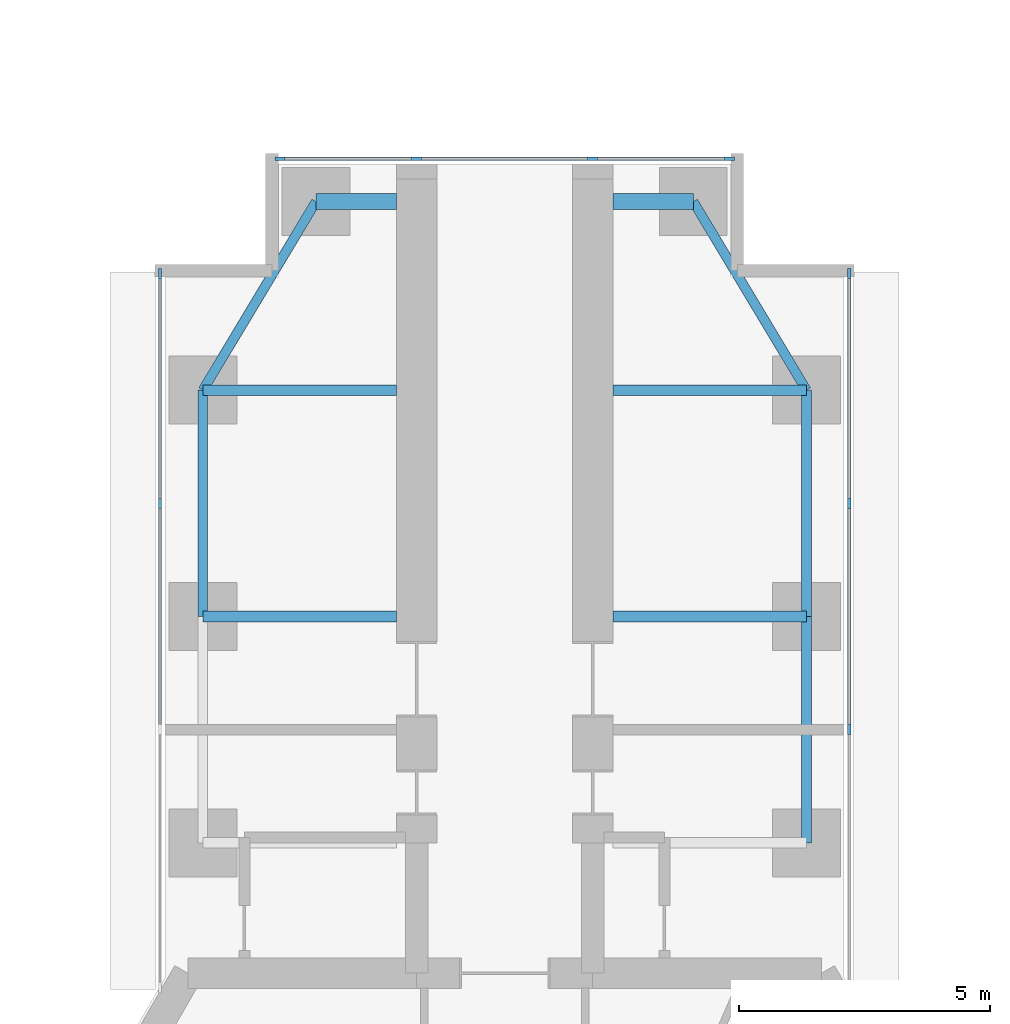
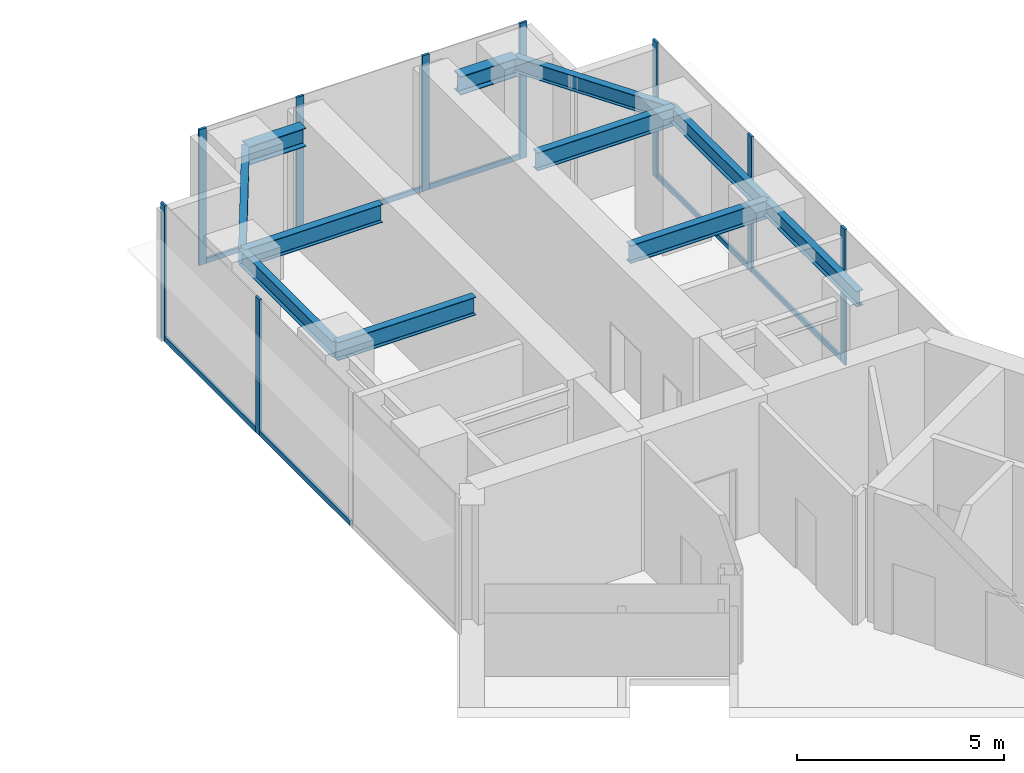
# One storey, part 12 of 21: 16 members, 11 beams, 3 elements without a shape of their own.
"""IFC4 building model written with IfcOpenShell, lengths in metres."""

import ifcopenshell
import ifcopenshell.guid

model = None  # the IFC model being written
_history = None  # IfcOwnerHistory: only IFC2X3 demands one
_inside = {}  # id of a spatial element -> (the spatial element, [elements in it])
_under = {}  # id of a project, library or spatial element -> (it, [spatial elements below it])
_declared = {}  # id of a project -> (the project, [libraries it declares])
_typed = {}  # id of a type object -> (the type object, [elements of that type])
_made_of = {}  # id of a material, layer set ... -> (it, [elements and type objects made of it])


def new_model(schema):
    """Start an empty IFC model of exactly this schema.

    Asked for "IFC4X3", IfcOpenShell would pick the latest addendum, in which some entities
    have other attributes; the version numbers below select the first issue.
    IFC2X3 requires an IfcOwnerHistory on every rooted entity: one is made here for all.
    """
    global model, _history
    if schema == "IFC4X3":
        model = ifcopenshell.file(schema_version=(4, 3, 0, 0))
    else:
        model = ifcopenshell.file(schema=schema)
    _inside.clear()
    _under.clear()
    _declared.clear()
    _typed.clear()
    _made_of.clear()
    _history = None
    if model.schema == "IFC2X3":
        org = make("IfcOrganization", Name="unknown")
        user = make(
            "IfcPersonAndOrganization",
            ThePerson=make("IfcPerson", FamilyName="unknown"),
            TheOrganization=org,
        )
        app = make(
            "IfcApplication",
            ApplicationDeveloper=org,
            Version="unknown",
            ApplicationFullName="unknown",
            ApplicationIdentifier="unknown",
        )
        _history = make(
            "IfcOwnerHistory",
            OwningUser=user,
            OwningApplication=app,
            ChangeAction="ADDED",
            CreationDate=0,
        )
    return model


def make(cls, **values):
    """One entity of the class cls with the attributes given. An attribute that is None is left unset."""
    return model.create_entity(
        cls, **{name: value for name, value in values.items() if value is not None}
    )


def rooted(cls, **values):
    """An entity with a GlobalId (a new one), such as an element, a storey or a relation."""
    return make(cls, GlobalId=ifcopenshell.guid.new(), OwnerHistory=_history, **values)


def si_unit(unit_type, name, prefix=None):
    """IfcSIUnit, for example si_unit("LENGTHUNIT", "METRE", prefix="MILLI")."""
    return make("IfcSIUnit", UnitType=unit_type, Prefix=prefix, Name=name)


def assignment(units):
    """IfcUnitAssignment: the units of a project."""
    return None if units is None else make("IfcUnitAssignment", Units=units)


def point(xyz):
    """IfcCartesianPoint."""
    return None if xyz is None else make("IfcCartesianPoint", Coordinates=xyz)


def direction(xyz):
    """IfcDirection."""
    return None if xyz is None else make("IfcDirection", DirectionRatios=xyz)


def frame(location, z_axis=None, x_axis=None):
    """IfcAxis2Placement3D, a coordinate frame: its origin and axes. An axis left out is left unset."""
    return make(
        "IfcAxis2Placement3D",
        Location=point(location),
        Axis=direction(z_axis),
        RefDirection=direction(x_axis),
    )


def frame_2d(location, x_axis=None):
    """IfcAxis2Placement2D, a coordinate frame in the plane: its origin and x axis."""
    return make(
        "IfcAxis2Placement2D", Location=point(location), RefDirection=direction(x_axis)
    )


def origin():
    """The frame at (0, 0, 0) with its axes left unset."""
    return frame((0.0, 0.0, 0.0))


def origin_2d():
    """The frame at (0, 0) in the plane with its x axis left unset."""
    return frame_2d((0.0, 0.0))


def place(relative_to, where):
    """IfcLocalPlacement: puts the frame where relative to a parent placement (None: the world)."""
    return make(
        "IfcLocalPlacement", PlacementRelTo=relative_to, RelativePlacement=where
    )


def context(
    kind, dimensions, precision=None, world=None, true_north=None, identifier=None
):
    """IfcGeometricRepresentationContext, for example the 3D "Model" context."""
    return make(
        "IfcGeometricRepresentationContext",
        ContextIdentifier=identifier,
        ContextType=kind,
        CoordinateSpaceDimension=dimensions,
        Precision=precision,
        WorldCoordinateSystem=world,
        TrueNorth=true_north,
    )


def subcontext(parent, identifier, kind, view, scale=None):
    """IfcGeometricRepresentationSubContext, for example "Body" below "Model"."""
    return make(
        "IfcGeometricRepresentationSubContext",
        ContextIdentifier=identifier,
        ContextType=kind,
        ParentContext=parent,
        TargetScale=scale,
        TargetView=view,
    )


def project(units=None, contexts=None):
    """IfcProject with its units and contexts."""
    return rooted(
        "IfcProject",
        Name="project",
        RepresentationContexts=contexts,
        UnitsInContext=assignment(units),
    )


def spatial(cls, under=None, at=None, **own):
    """A site, building, storey or space (cls), placed at a placement, below another one or the project."""
    s = rooted(cls, ObjectPlacement=at, **own)
    if under is not None:
        _under.setdefault(under.id(), (under, []))[1].append(s)
    return s


def profile(cls, at=None, kind="AREA", **sizes):
    """A parametric profile (cls). Its sizes go by their IFC names, for example OverallWidth=200.0."""
    return make(cls, ProfileType=kind, Position=at, **sizes)


def rectangle(**sizes):
    """IfcRectangleProfileDef."""
    return profile("IfcRectangleProfileDef", **sizes)


def i_section(**sizes):
    """IfcIShapeProfileDef."""
    return profile("IfcIShapeProfileDef", **sizes)


def extrude(swept, where, along, depth):
    """IfcExtrudedAreaSolid: the profile swept, set in the frame where, extruded along a direction by depth."""
    return make(
        "IfcExtrudedAreaSolid",
        SweptArea=swept,
        Position=where,
        ExtrudedDirection=direction(along),
        Depth=depth,
    )


def shape(context_of_items, identifier, shape_type, items):
    """IfcShapeRepresentation: the items that make up one representation, for example the "Body"."""
    return make(
        "IfcShapeRepresentation",
        ContextOfItems=context_of_items,
        RepresentationIdentifier=identifier,
        RepresentationType=shape_type,
        Items=items,
    )


def material(Name=None, Category=None):
    """IfcMaterial."""
    return make("IfcMaterial", Name=Name, Category=Category)


def material_profile(
    of_material, cross_section, Name=None, Category=None, Priority=None
):
    """IfcMaterialProfile: a cross section and its material."""
    return make(
        "IfcMaterialProfile",
        Name=Name,
        Material=of_material,
        Profile=cross_section,
        Priority=Priority,
        Category=Category,
    )


def profile_set(profiles, Name=None, composite=None):
    """IfcMaterialProfileSet."""
    return make(
        "IfcMaterialProfileSet",
        Name=Name,
        MaterialProfiles=profiles,
        CompositeProfile=composite,
    )


def made_of(thing, what):
    """Note that an element or type object is made of a material, layer set ...; save() writes the relation."""
    if what is not None:
        _made_of.setdefault(what.id(), (what, []))[1].append(thing)
    return thing


def type_object(cls, material=None, **own):
    """A type object (cls), such as IfcWallType, which elements share."""
    return made_of(rooted(cls, **own), material)


def element(
    cls,
    number,
    at=None,
    inside=None,
    cuts=None,
    type_object=None,
    material=None,
    context=None,
    identifier="Body",
    shape_type=None,
    held_by="IfcProductDefinitionShape",
    body=None,
    shapes=None,
    **own,
):
    """One element of the class cls, such as IfcWall. Its Tag is "e" and its number.

    at: its placement. inside: the storey or other place that contains it. cuts: it is an
    opening in that element (IfcRelVoidsElement). A single representation is given by context,
    identifier, shape_type and body (its items); several are given by shapes. held_by: the class
    of the entity that holds the representations. save() writes the other relations.
    """
    e = rooted(cls, Tag="e%d" % number, ObjectPlacement=at, **own)
    if body is not None:
        shapes = [shape(context, identifier, shape_type, body)]
    if shapes is not None:
        e.Representation = make(held_by, Representations=shapes)
    if inside is not None:
        _inside.setdefault(inside.id(), (inside, []))[1].append(e)
    if cuts is not None:
        rooted(
            "IfcRelVoidsElement", RelatingBuildingElement=cuts, RelatedOpeningElement=e
        )
    if type_object is not None:
        _typed.setdefault(type_object.id(), (type_object, []))[1].append(e)
    return made_of(e, material)


def aggregate(whole, parts):
    """IfcRelAggregates: a whole, such as a stair, and the parts it consists of."""
    return rooted("IfcRelAggregates", RelatingObject=whole, RelatedObjects=parts)


def save(model, path):
    """Write the relations noted so far, then the file.

    IfcRelAggregates (storeys below a building ...), IfcRelContainedInSpatialStructure (elements
    in a storey), IfcRelDefinesByType, IfcRelAssociatesMaterial and IfcRelDeclares: one each for
    every whole, place, type object, material and project.
    """
    for whole, parts in _under.values():
        aggregate(whole, parts)
    for where, things in _inside.values():
        rooted(
            "IfcRelContainedInSpatialStructure",
            RelatedElements=things,
            RelatingStructure=where,
        )
    for kind, things in _typed.values():
        rooted("IfcRelDefinesByType", RelatedObjects=things, RelatingType=kind)
    for what, things in _made_of.values():
        rooted("IfcRelAssociatesMaterial", RelatedObjects=things, RelatingMaterial=what)
    for by, libraries in _declared.values():
        rooted("IfcRelDeclares", RelatingContext=by, RelatedDefinitions=libraries)
    model.write(path)


model = new_model("IFC4")

# Units and contexts
model_context = context("Model", 3, precision=1e-05, world=origin(), true_north=direction((0.0, 1.0)))
body_context = subcontext(model_context, "Body", "Model", "MODEL_VIEW")
ifc_project = project(units=[si_unit("LENGTHUNIT", "METRE"), si_unit("AREAUNIT", "SQUARE_METRE"), si_unit("VOLUMEUNIT", "CUBIC_METRE"), si_unit("PLANEANGLEUNIT", "RADIAN"), si_unit("MASSUNIT", "GRAM", prefix="KILO")], contexts=[model_context])

# Site, building, storey
site_placement = place(None, origin())
site = spatial("IfcSite", under=ifc_project, at=site_placement, CompositionType="ELEMENT")
building_placement = place(site_placement, origin())
building = spatial("IfcBuilding", under=site, at=building_placement, Name="Upepo Twin Towers", CompositionType="ELEMENT")
storey_placement = place(building_placement, frame((0.0, 0.0, 105.5)))
storey = spatial("IfcBuildingStorey", under=building, at=storey_placement, Name="L25", CompositionType="ELEMENT", Elevation=105.5)

# Beams
ifc_material_1 = material(Name="Steel S355", Category="steel")
ifc_material_profile_1 = material_profile(ifc_material_1, i_section(OverallWidth=0.1904296875, OverallDepth=0.45703125, WebThickness=0.009033203125, FlangeThickness=0.014404296875, FilletRadius=0.01025390625, at=origin_2d()), Name="UB 457x191x74")
ifc_profile_set_1 = profile_set([ifc_material_profile_1], Name="Steel S355")
beam_type_1 = type_object("IfcBeamType", Name="Beam UB 457x191x74", PredefinedType="BEAM", material=ifc_profile_set_1)
beam_1_placement = place(storey_placement, frame((52.5, 0.0, 3.571533203125), z_axis=(0.0, 1.0, 0.0), x_axis=(-1.0, 0.0, 0.0)))
element("IfcBeam", 1, at=beam_1_placement, inside=storey, type_object=beam_type_1, Name="T2 edge beam AL 18.0-22.5", PredefinedType="BEAM", context=body_context, shape_type="SweptSolid", body=[
    extrude(i_section(OverallWidth=0.1904296875, OverallDepth=0.45703125, WebThickness=0.009033203125, FlangeThickness=0.014404296875, FilletRadius=0.01025390625, at=origin_2d()), origin(), (0.0, 0.0, 1.0), 4.5),
])
beam_2_placement = place(storey_placement, frame((52.5, 4.5, 3.571533203125), z_axis=(0.514495755428, 0.857492925713, 0.0), x_axis=(-0.857492925713, 0.514495755428, 0.0)))
element("IfcBeam", 2, at=beam_2_placement, inside=storey, type_object=beam_type_1, Name="T2 nose edge beam AL", PredefinedType="BEAM", context=body_context, shape_type="SweptSolid", body=[
    extrude(i_section(OverallWidth=0.1904296875, OverallDepth=0.45703125, WebThickness=0.009033203125, FlangeThickness=0.014404296875, FilletRadius=0.01025390625, at=origin_2d()), origin(), (0.0, 0.0, 1.0), 4.373291015625),
])
for number, where, z_axis, x_axis, name in (
    (3, (64.5, -4.5, 3.571533203125), (0.0, 1.0, 0.0), (-1.0, 0.0, 0.0), "T2 edge beam AR 13.5-18.0"),
    (4, (64.5, 0.0, 3.571533203125), (0.0, 1.0, 0.0), (-1.0, 0.0, 0.0), "T2 edge beam AR 18.0-22.5"),
):
    element("IfcBeam", number, at=place(storey_placement, frame(where, z_axis=z_axis, x_axis=x_axis)), inside=storey, type_object=beam_type_1, Name=name, PredefinedType="BEAM", context=body_context, shape_type="SweptSolid", body=[
        extrude(i_section(OverallWidth=0.1904296875, OverallDepth=0.45703125, WebThickness=0.009033203125, FlangeThickness=0.014404296875, FilletRadius=0.01025390625, at=origin_2d()), origin(), (0.0, 0.0, 1.0), 4.5),
    ])
beam_3_placement = place(storey_placement, frame((64.5, 4.5, 3.571533203125), z_axis=(-0.514495755428, 0.857492925713, 0.0), x_axis=(-0.857492925713, -0.514495755428, 0.0)))
element("IfcBeam", 5, at=beam_3_placement, inside=storey, type_object=beam_type_1, Name="T2 nose edge beam AR", PredefinedType="BEAM", context=body_context, shape_type="SweptSolid", body=[
    extrude(i_section(OverallWidth=0.1904296875, OverallDepth=0.45703125, WebThickness=0.009033203125, FlangeThickness=0.014404296875, FilletRadius=0.01025390625, at=origin_2d()), origin(), (0.0, 0.0, 1.0), 4.373291015625),
])
ifc_material_2 = material(Name="Steel S355", Category="steel")
ifc_material_profile_2 = material_profile(ifc_material_2, i_section(OverallWidth=0.209228515625, OverallDepth=0.533203125, WebThickness=0.010009765625, FlangeThickness=0.015625, FilletRadius=0.0126953125, at=origin_2d()), Name="UB 533x210x92")
ifc_profile_set_2 = profile_set([ifc_material_profile_2], Name="Steel S355")
beam_type_2 = type_object("IfcBeamType", Name="Beam UB 533x210x92", PredefinedType="BEAM", material=ifc_profile_set_2)
for number, where, z_axis, x_axis, name in (
    (6, (52.5, 0.0, 3.533447265625), (1.0, 0.0, 0.0), (0.0, 1.0, 0.0), "T2 girder AL at 18.0"),
    (7, (52.5, 4.5, 3.533447265625), (1.0, 0.0, 0.0), (0.0, 1.0, 0.0), "T2 girder AL at 22.5"),
    (8, (64.5, 0.0, 3.533447265625), (-1.0, 0.0, 0.0), (0.0, -1.0, 0.0), "T2 girder AR at 18.0"),
    (9, (64.5, 4.5, 3.533447265625), (-1.0, 0.0, 0.0), (0.0, -1.0, 0.0), "T2 girder AR at 22.5"),
):
    element("IfcBeam", number, at=place(storey_placement, frame(where, z_axis=z_axis, x_axis=x_axis)), inside=storey, type_object=beam_type_2, Name=name, PredefinedType="BEAM", context=body_context, shape_type="SweptSolid", body=[
        extrude(i_section(OverallWidth=0.209228515625, OverallDepth=0.533203125, WebThickness=0.010009765625, FlangeThickness=0.015625, FilletRadius=0.0126953125, at=origin_2d()), origin(), (0.0, 0.0, 1.0), 3.85009765625),
    ])
ifc_material_3 = material(Name="Steel S355", Category="steel")
ifc_material_profile_3 = material_profile(ifc_material_3, i_section(OverallWidth=0.31201171875, OverallDepth=0.54345703125, WebThickness=0.0126953125, FlangeThickness=0.020263671875, FilletRadius=0.0126953125, at=origin_2d()), Name="UB 533x312x150")
ifc_profile_set_3 = profile_set([ifc_material_profile_3], Name="Steel S355")
beam_type_3 = type_object("IfcBeamType", Name="Beam UB 533x312x150", PredefinedType="BEAM", material=ifc_profile_set_3)
for number, where, z_axis, x_axis, name in (
    (10, (54.75, 8.25, 3.5283203125), (1.0, 0.0, 0.0), (0.0, 1.0, 0.0), "T2 nose beam AL"),
    (11, (62.25, 8.25, 3.5283203125), (-1.0, 0.0, 0.0), (0.0, -1.0, 0.0), "T2 nose beam AR"),
):
    element("IfcBeam", number, at=place(storey_placement, frame(where, z_axis=z_axis, x_axis=x_axis)), inside=storey, type_object=beam_type_3, Name=name, PredefinedType="BEAM", context=body_context, shape_type="SweptSolid", body=[
        extrude(i_section(OverallWidth=0.31201171875, OverallDepth=0.54345703125, WebThickness=0.0126953125, FlangeThickness=0.020263671875, FilletRadius=0.0126953125, at=origin_2d()), origin(), (0.0, 0.0, 1.0), 1.60009765625),
    ])

# Curtain wall, members
ifc_material_4 = material(Name="Aluminium and fritted glass", Category="aluminium")
curtain_wall_type = type_object("IfcCurtainWallType", Name="Tower curtain wall TW2, fritted glass", PredefinedType="NOTDEFINED", material=ifc_material_4)
curtain_wall_1_placement = place(storey_placement, origin())
curtain_wall_1 = element("IfcCurtainWall", 12, at=curtain_wall_1_placement, inside=storey, type_object=curtain_wall_type, Name="T2 L25 wing A flank L curtain wall", PredefinedType="NOTDEFINED")
ifc_material_5 = material(Name="Aluminium mullion", Category="aluminium")
ifc_material_profile_4 = material_profile(ifc_material_5, rectangle(XDim=0.06494140625, YDim=0.199951171875, at=origin_2d()), Name="MULLION 65x200")
ifc_profile_set_4 = profile_set([ifc_material_profile_4], Name="Aluminium mullion")
member_type_1 = type_object("IfcMemberType", Name="Mullion 65x200 TW2", PredefinedType="MULLION", material=ifc_profile_set_4)
member_1_placement = place(storey_placement, frame((51.64990234375, 2.25, 0.0), z_axis=(0.0, 0.0, 1.0), x_axis=(-1.0, 0.0, 0.0)))
member_1 = element("IfcMember", 13, at=member_1_placement, type_object=member_type_1, Name="T2 L25 wing A flank L curtain wall mullion 3", PredefinedType="MULLION", context=body_context, shape_type="SweptSolid", body=[
    extrude(rectangle(XDim=0.06494140625, YDim=0.199951171875, at=origin_2d()), origin(), (0.0, 0.0, 1.0), 4.0),
])
member_2_placement = place(storey_placement, frame((51.64990234375, 6.8173828125, 0.0), z_axis=(0.0, 0.0, 1.0), x_axis=(-1.0, 0.0, 0.0)))
member_2 = element("IfcMember", 14, at=member_2_placement, type_object=member_type_1, Name="T2 L25 wing A flank L curtain wall mullion 4", PredefinedType="MULLION", context=body_context, shape_type="SweptSolid", body=[
    extrude(rectangle(XDim=0.06494140625, YDim=0.199951171875, at=origin_2d()), origin(), (0.0, 0.0, 1.0), 4.0),
])

curtain_wall_2_placement = place(storey_placement, origin())
curtain_wall_2 = element("IfcCurtainWall", 15, at=curtain_wall_2_placement, inside=storey, type_object=curtain_wall_type, Name="T2 L25 wing A flank R curtain wall", PredefinedType="NOTDEFINED")
member_3_placement = place(storey_placement, frame((65.35009765625, 6.8173828125, 0.0), z_axis=(0.0, 0.0, 1.0), x_axis=(1.0, 0.0, 0.0)))
member_3 = element("IfcMember", 16, at=member_3_placement, type_object=member_type_1, Name="T2 L25 wing A flank R curtain wall mullion 1", PredefinedType="MULLION", context=body_context, shape_type="SweptSolid", body=[
    extrude(rectangle(XDim=0.06494140625, YDim=0.199951171875, at=origin_2d()), origin(), (0.0, 0.0, 1.0), 4.0),
])
member_4_placement = place(storey_placement, frame((65.35009765625, 2.25, 0.0), z_axis=(0.0, 0.0, 1.0), x_axis=(1.0, 0.0, 0.0)))
member_4 = element("IfcMember", 17, at=member_4_placement, type_object=member_type_1, Name="T2 L25 wing A flank R curtain wall mullion 2", PredefinedType="MULLION", context=body_context, shape_type="SweptSolid", body=[
    extrude(rectangle(XDim=0.06494140625, YDim=0.199951171875, at=origin_2d()), origin(), (0.0, 0.0, 1.0), 4.0),
])
member_5_placement = place(storey_placement, frame((65.35009765625, -2.25, 0.0), z_axis=(0.0, 0.0, 1.0), x_axis=(1.0, 0.0, 0.0)))
member_5 = element("IfcMember", 18, at=member_5_placement, type_object=member_type_1, Name="T2 L25 wing A flank R curtain wall mullion 3", PredefinedType="MULLION", context=body_context, shape_type="SweptSolid", body=[
    extrude(rectangle(XDim=0.06494140625, YDim=0.199951171875, at=origin_2d()), origin(), (0.0, 0.0, 1.0), 4.0),
])

curtain_wall_3_placement = place(storey_placement, origin())
curtain_wall_3 = element("IfcCurtainWall", 19, at=curtain_wall_3_placement, inside=storey, type_object=curtain_wall_type, Name="T2 L25 wing A nose curtain wall", PredefinedType="NOTDEFINED")
member_6_placement = place(storey_placement, frame((62.967529296875, 9.10009765625, 0.0), z_axis=(0.0, 0.0, 1.0), x_axis=(0.0, -1.0, 0.0)))
member_6 = element("IfcMember", 20, at=member_6_placement, type_object=member_type_1, Name="T2 L25 wing A nose curtain wall mullion 1", PredefinedType="MULLION", context=body_context, shape_type="SweptSolid", body=[
    extrude(rectangle(XDim=0.06494140625, YDim=0.199951171875, at=origin_2d()), origin(), (0.0, 0.0, 1.0), 4.0),
])
member_7_placement = place(storey_placement, frame((60.25, 9.10009765625, 0.0), z_axis=(0.0, 0.0, 1.0), x_axis=(0.0, -1.0, 0.0)))
member_7 = element("IfcMember", 21, at=member_7_placement, type_object=member_type_1, Name="T2 L25 wing A nose curtain wall mullion 2", PredefinedType="MULLION", context=body_context, shape_type="SweptSolid", body=[
    extrude(rectangle(XDim=0.06494140625, YDim=0.199951171875, at=origin_2d()), origin(), (0.0, 0.0, 1.0), 4.0),
])
member_8_placement = place(storey_placement, frame((56.75, 9.10009765625, 0.0), z_axis=(0.0, 0.0, 1.0), x_axis=(0.0, -1.0, 0.0)))
member_8 = element("IfcMember", 22, at=member_8_placement, type_object=member_type_1, Name="T2 L25 wing A nose curtain wall mullion 3", PredefinedType="MULLION", context=body_context, shape_type="SweptSolid", body=[
    extrude(rectangle(XDim=0.06494140625, YDim=0.199951171875, at=origin_2d()), origin(), (0.0, 0.0, 1.0), 4.0),
])
member_9_placement = place(storey_placement, frame((54.032470703125, 9.10009765625, 0.0), z_axis=(0.0, 0.0, 1.0), x_axis=(0.0, -1.0, 0.0)))
member_9 = element("IfcMember", 23, at=member_9_placement, type_object=member_type_1, Name="T2 L25 wing A nose curtain wall mullion 4", PredefinedType="MULLION", context=body_context, shape_type="SweptSolid", body=[
    extrude(rectangle(XDim=0.06494140625, YDim=0.199951171875, at=origin_2d()), origin(), (0.0, 0.0, 1.0), 4.0),
])

# Member
ifc_material_6 = material(Name="Aluminium transom", Category="aluminium")
ifc_material_profile_5 = material_profile(ifc_material_6, rectangle(XDim=0.06494140625, YDim=0.14990234375, at=origin_2d()), Name="TRANSOM 65x150")
ifc_profile_set_5 = profile_set([ifc_material_profile_5], Name="Aluminium transom")
member_type_2 = type_object("IfcMemberType", Name="Transom 65x150 TW2", PredefinedType="USERDEFINED", material=ifc_profile_set_5)
member_10_placement = place(storey_placement, frame((51.64990234375, -2.217529296875, 0.074951171875), z_axis=(0.0, 1.0, 0.0), x_axis=(-1.0, 0.0, 0.0)))
member_10 = element("IfcMember", 24, at=member_10_placement, type_object=member_type_2, Name="T2 L25 wing A flank L curtain wall transom 2", ObjectType="TRANSOM", PredefinedType="USERDEFINED", context=body_context, shape_type="SweptSolid", body=[
    extrude(rectangle(XDim=0.06494140625, YDim=0.14990234375, at=origin_2d()), origin(), (0.0, 0.0, 1.0), 4.43505859375),
])

member_11_placement = place(storey_placement, frame((51.64990234375, 2.282470703125, 0.074951171875), z_axis=(0.0, 1.0, 0.0), x_axis=(-1.0, 0.0, 0.0)))
member_11 = element("IfcMember", 25, at=member_11_placement, type_object=member_type_2, Name="T2 L25 wing A flank L curtain wall transom 3", ObjectType="TRANSOM", PredefinedType="USERDEFINED", context=body_context, shape_type="SweptSolid", body=[
    extrude(rectangle(XDim=0.06494140625, YDim=0.14990234375, at=origin_2d()), origin(), (0.0, 0.0, 1.0), 4.50244140625),
])

aggregate(curtain_wall_1, [member_1, member_2, member_10, member_11])

member_12_placement = place(storey_placement, frame((65.35009765625, 6.784912109375, 0.074951171875), z_axis=(0.0, -1.0, 0.0), x_axis=(1.0, 0.0, 0.0)))
member_12 = element("IfcMember", 26, at=member_12_placement, type_object=member_type_2, Name="T2 L25 wing A flank R curtain wall transom 1", ObjectType="TRANSOM", PredefinedType="USERDEFINED", context=body_context, shape_type="SweptSolid", body=[
    extrude(rectangle(XDim=0.06494140625, YDim=0.14990234375, at=origin_2d()), origin(), (0.0, 0.0, 1.0), 4.50244140625),
])

member_13_placement = place(storey_placement, frame((65.35009765625, 2.217529296875, 0.074951171875), z_axis=(0.0, -1.0, 0.0), x_axis=(1.0, 0.0, 0.0)))
member_13 = element("IfcMember", 27, at=member_13_placement, type_object=member_type_2, Name="T2 L25 wing A flank R curtain wall transom 2", ObjectType="TRANSOM", PredefinedType="USERDEFINED", context=body_context, shape_type="SweptSolid", body=[
    extrude(rectangle(XDim=0.06494140625, YDim=0.14990234375, at=origin_2d()), origin(), (0.0, 0.0, 1.0), 4.43505859375),
])

aggregate(curtain_wall_2, [member_3, member_4, member_5, member_12, member_13])

member_14_placement = place(storey_placement, frame((62.93505859375, 9.10009765625, 0.074951171875), z_axis=(-1.0, 0.0, 0.0), x_axis=(0.0, -1.0, 0.0)))
member_14 = element("IfcMember", 28, at=member_14_placement, type_object=member_type_2, Name="T2 L25 wing A nose curtain wall transom 1", ObjectType="TRANSOM", PredefinedType="USERDEFINED", context=body_context, shape_type="SweptSolid", body=[
    extrude(rectangle(XDim=0.06494140625, YDim=0.14990234375, at=origin_2d()), origin(), (0.0, 0.0, 1.0), 2.652587890625),
])

member_15_placement = place(storey_placement, frame((60.217529296875, 9.10009765625, 0.074951171875), z_axis=(-1.0, 0.0, 0.0), x_axis=(0.0, -1.0, 0.0)))
member_15 = element("IfcMember", 29, at=member_15_placement, type_object=member_type_2, Name="T2 L25 wing A nose curtain wall transom 2", ObjectType="TRANSOM", PredefinedType="USERDEFINED", context=body_context, shape_type="SweptSolid", body=[
    extrude(rectangle(XDim=0.06494140625, YDim=0.14990234375, at=origin_2d()), origin(), (0.0, 0.0, 1.0), 3.43505859375),
])

member_16_placement = place(storey_placement, frame((56.717529296875, 9.10009765625, 0.074951171875), z_axis=(-1.0, 0.0, 0.0), x_axis=(0.0, -1.0, 0.0)))
member_16 = element("IfcMember", 30, at=member_16_placement, type_object=member_type_2, Name="T2 L25 wing A nose curtain wall transom 3", ObjectType="TRANSOM", PredefinedType="USERDEFINED", context=body_context, shape_type="SweptSolid", body=[
    extrude(rectangle(XDim=0.06494140625, YDim=0.14990234375, at=origin_2d()), origin(), (0.0, 0.0, 1.0), 2.652587890625),
])

aggregate(curtain_wall_3, [member_6, member_7, member_8, member_9, member_14, member_15, member_16])

save(model, "model.ifc")
